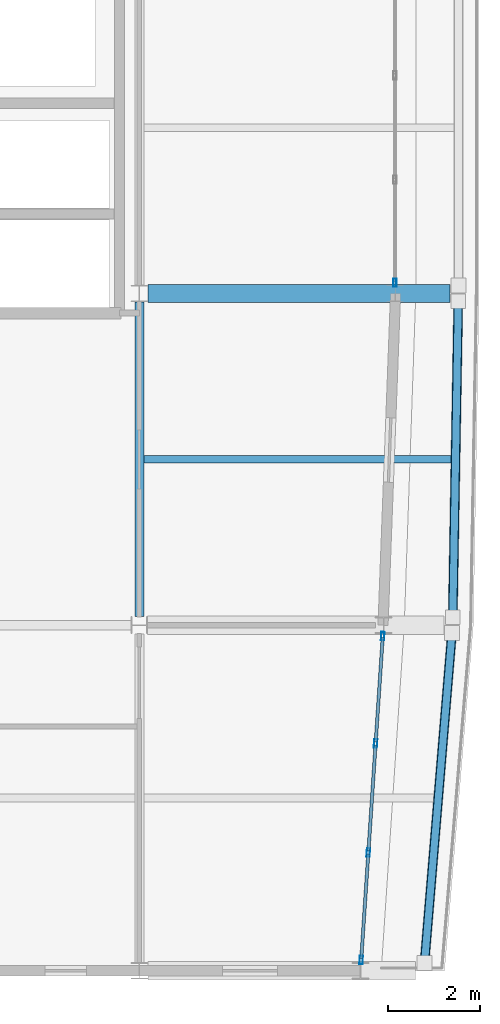
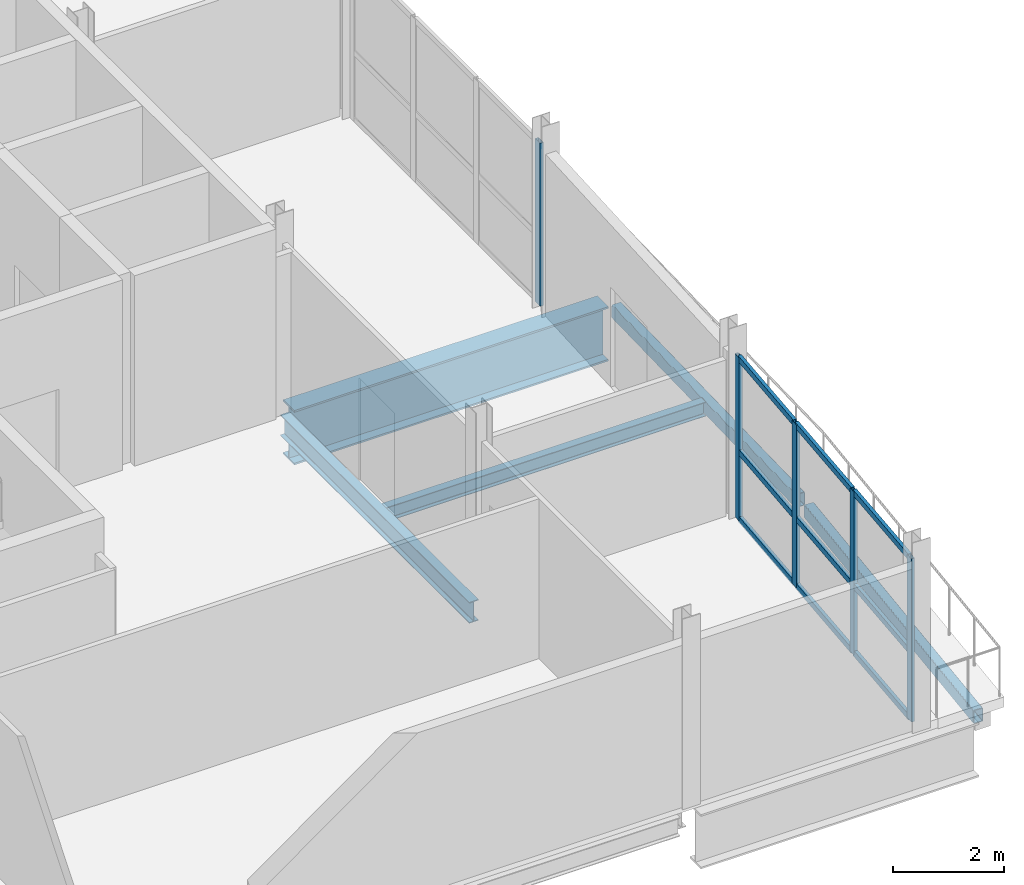
# One storey, part 2 of 17: 14 members, 5 beams, 2 elements without a shape of their own.
"""IFC4 building model written with IfcOpenShell, lengths in metres."""

from ifc_helpers import new_model, si_unit, direction, frame, origin, origin_2d, place, context, subcontext, project, spatial, hollow_rectangle, i_section, extrude, material, layer, layer_set, material_profile, profile_set, type_object, element, aggregate, save


model = new_model("IFC4")

# Units and contexts
model_context = context("Model", 3, precision=1e-05, world=origin(), true_north=direction((0.0, 1.0)))
body_context = subcontext(model_context, "Body", "Model", "MODEL_VIEW")
ifc_project = project(units=[si_unit("LENGTHUNIT", "METRE"), si_unit("AREAUNIT", "SQUARE_METRE"), si_unit("VOLUMEUNIT", "CUBIC_METRE"), si_unit("PLANEANGLEUNIT", "RADIAN"), si_unit("MASSUNIT", "GRAM", prefix="KILO")], contexts=[model_context])

# Site, building, storey
site_placement = place(None, origin())
site = spatial("IfcSite", under=ifc_project, at=site_placement, CompositionType="ELEMENT")
building_placement = place(site_placement, origin())
building = spatial("IfcBuilding", under=site, at=building_placement, Name="Quillay Park Conservatory", CompositionType="ELEMENT")
storey_placement = place(building_placement, frame((0.0, 0.0, 47.699951171875)))
storey = spatial("IfcBuildingStorey", under=building, at=storey_placement, Name="L11", CompositionType="ELEMENT", Elevation=47.699951171875)

# Beam
ifc_material_1 = material(Name="Steel ASTM A992 Grade 50", Category="steel")
ifc_material_profile_1 = material_profile(ifc_material_1, i_section(OverallWidth=0.166015625, OverallDepth=0.31298828125, WebThickness=0.006591796875, FlangeThickness=0.01123046875, FilletRadius=0.010009765625, at=origin_2d()), Name="W310x45")
ifc_profile_set_1 = profile_set([ifc_material_profile_1], Name="Steel ASTM A992 Grade 50")
beam_type_1 = type_object("IfcBeamType", Name="COMPOSITE FLOOR JOIST W310 X45", PredefinedType="JOIST", material=ifc_profile_set_1)
beam_1_placement = place(storey_placement, frame((19.845947265625, 81.60009765625, -0.38134765625), z_axis=(1.0, 0.0, 0.0), x_axis=(0.0, 1.0, 0.0)))
element("IfcBeam", 1, at=beam_1_placement, inside=storey, type_object=beam_type_1, Name="L11 beam BM-J-0799", PredefinedType="JOIST", context=body_context, shape_type="SweptSolid", body=[
    extrude(i_section(OverallWidth=0.166015625, OverallDepth=0.31298828125, WebThickness=0.006591796875, FlangeThickness=0.01123046875, FilletRadius=0.010009765625, at=origin_2d()), origin(), (0.0, 0.0, 1.0), 6.66650390625),
])

# Curtain wall, members
ifc_material_2 = material(Name="Thermally Broken Anodised Aluminium 6063-T6", Category="aluminium")
ifc_layer = layer(ifc_material_2, 0.179931640625)
ifc_layer_set = layer_set([ifc_layer], Name="UNITISED CURTAIN WALL TOWER (Thermally Broken Anodised Aluminium 6063-T6)")
curtain_wall_type = type_object("IfcCurtainWallType", Name="UNITISED CURTAIN WALL TOWER", PredefinedType="USERDEFINED", material=ifc_layer_set)
curtain_wall_1_placement = place(storey_placement, origin())
curtain_wall_1 = element("IfcCurtainWall", 2, at=curtain_wall_1_placement, inside=storey, type_object=curtain_wall_type, Name="L11 Unitised Curtain Wall 105", ObjectType="UNITISED CURTAIN WALL", PredefinedType="USERDEFINED")
ifc_material_3 = material(Name="Thermally Broken Anodised Aluminium 6063-T6", Category="aluminium")
ifc_material_profile_2 = material_profile(ifc_material_3, hollow_rectangle(XDim=0.070068359375, YDim=0.179931640625, WallThickness=0.00390625, at=origin_2d()), Name="AL70x180x4")
ifc_profile_set_2 = profile_set([ifc_material_profile_2], Name="Thermally Broken Anodised Aluminium 6063-T6")
member_type_1 = type_object("IfcMemberType", Name="CURTAIN WALL MULLION 70 X180", PredefinedType="MULLION", material=ifc_profile_set_2)
member_1_placement = place(storey_placement, frame((25.034423828125, 77.765380859375, 0.0), z_axis=(0.0, 0.0, 1.0), x_axis=(0.997785033503, -0.0665208758, 0.0)))
member_1 = element("IfcMember", 3, at=member_1_placement, type_object=member_type_1, Name="CW-T1 mullion 1", PredefinedType="MULLION", context=body_context, shape_type="SweptSolid", body=[
    extrude(hollow_rectangle(XDim=0.070068359375, YDim=0.179931640625, WallThickness=0.00390625, at=origin_2d()), origin(), (0.0, 0.0, 1.0), 3.59912109375),
])
member_2_placement = place(storey_placement, frame((24.87890625, 75.433349609375, 0.0), z_axis=(0.0, 0.0, 1.0), x_axis=(0.997785033503, -0.0665208758, 0.0)))
member_2 = element("IfcMember", 4, at=member_2_placement, type_object=member_type_1, Name="CW-T1 mullion 2", PredefinedType="MULLION", context=body_context, shape_type="SweptSolid", body=[
    extrude(hollow_rectangle(XDim=0.070068359375, YDim=0.179931640625, WallThickness=0.00390625, at=origin_2d()), origin(), (0.0, 0.0, 1.0), 3.59912109375),
])
member_3_placement = place(storey_placement, frame((24.72119140625, 73.066650390625, 0.0), z_axis=(0.0, 0.0, 1.0), x_axis=(0.997785033503, -0.0665208758, 0.0)))
member_3 = element("IfcMember", 5, at=member_3_placement, type_object=member_type_1, Name="CW-T1 mullion 3", PredefinedType="MULLION", context=body_context, shape_type="SweptSolid", body=[
    extrude(hollow_rectangle(XDim=0.070068359375, YDim=0.179931640625, WallThickness=0.00390625, at=origin_2d()), origin(), (0.0, 0.0, 1.0), 3.59912109375),
])
member_4_placement = place(storey_placement, frame((24.565673828125, 70.734619140625, 0.0), z_axis=(0.0, 0.0, 1.0), x_axis=(0.997785033503, -0.0665208758, 0.0)))
member_4 = element("IfcMember", 6, at=member_4_placement, type_object=member_type_1, Name="CW-T1 mullion 4", PredefinedType="MULLION", context=body_context, shape_type="SweptSolid", body=[
    extrude(hollow_rectangle(XDim=0.070068359375, YDim=0.179931640625, WallThickness=0.00390625, at=origin_2d()), origin(), (0.0, 0.0, 1.0), 3.59912109375),
])

# Curtain wall, member
curtain_wall_2_placement = place(storey_placement, origin())
curtain_wall_2 = element("IfcCurtainWall", 7, at=curtain_wall_2_placement, inside=storey, type_object=curtain_wall_type, Name="L11 Unitised Curtain Wall 106", ObjectType="UNITISED CURTAIN WALL", PredefinedType="USERDEFINED")
member_5_placement = place(storey_placement, frame((25.300048828125, 85.43505859375, 0.0), z_axis=(0.0, 0.0, 1.0), x_axis=(1.0, 0.0, 0.0)))
member_5 = element("IfcMember", 8, at=member_5_placement, type_object=member_type_1, Name="CW-T1 mullion 4", PredefinedType="MULLION", context=body_context, shape_type="SweptSolid", body=[
    extrude(hollow_rectangle(XDim=0.070068359375, YDim=0.179931640625, WallThickness=0.00390625, at=origin_2d()), origin(), (0.0, 0.0, 1.0), 3.59912109375),
])
aggregate(curtain_wall_2, [member_5])

# Member
ifc_material_4 = material(Name="Thermally Broken Anodised Aluminium 6063-T6", Category="aluminium")
ifc_material_profile_3 = material_profile(ifc_material_4, hollow_rectangle(XDim=0.070068359375, YDim=0.1298828125, WallThickness=0.003173828125, at=origin_2d()), Name="AL70x130x3.2")
ifc_profile_set_3 = profile_set([ifc_material_profile_3], Name="Thermally Broken Anodised Aluminium 6063-T6")
member_type_2 = type_object("IfcMemberType", Name="CURTAIN WALL TRANSOM 70 X130", PredefinedType="USERDEFINED", material=ifc_profile_set_3)
member_6_placement = place(storey_placement, frame((25.031982421875, 77.73046875, 0.03515625), z_axis=(-0.066447531676, -0.997789920542, 0.0), x_axis=(0.997789920542, -0.066447531676, 0.0)))
member_6 = element("IfcMember", 9, at=member_6_placement, type_object=member_type_2, Name="CW-T1 transom 1.1", ObjectType="TRANSOM", PredefinedType="USERDEFINED", context=body_context, shape_type="SweptSolid", body=[
    extrude(hollow_rectangle(XDim=0.070068359375, YDim=0.1298828125, WallThickness=0.003173828125, at=origin_2d()), origin(), (0.0, 0.0, 1.0), 2.26708984375),
])

member_7_placement = place(storey_placement, frame((25.031982421875, 77.73046875, 1.51171875), z_axis=(-0.066447531676, -0.997789920542, 0.0), x_axis=(0.997789920542, -0.066447531676, 0.0)))
member_7 = element("IfcMember", 10, at=member_7_placement, type_object=member_type_2, Name="CW-T1 transom 1.2", ObjectType="TRANSOM", PredefinedType="USERDEFINED", context=body_context, shape_type="SweptSolid", body=[
    extrude(hollow_rectangle(XDim=0.070068359375, YDim=0.1298828125, WallThickness=0.003173828125, at=origin_2d()), origin(), (0.0, 0.0, 1.0), 2.26708984375),
])

member_8_placement = place(storey_placement, frame((25.031982421875, 77.73046875, 3.56396484375), z_axis=(-0.066447531676, -0.997789920542, 0.0), x_axis=(0.997789920542, -0.066447531676, 0.0)))
member_8 = element("IfcMember", 11, at=member_8_placement, type_object=member_type_2, Name="CW-T1 transom 1.3", ObjectType="TRANSOM", PredefinedType="USERDEFINED", context=body_context, shape_type="SweptSolid", body=[
    extrude(hollow_rectangle(XDim=0.070068359375, YDim=0.1298828125, WallThickness=0.003173828125, at=origin_2d()), origin(), (0.0, 0.0, 1.0), 2.26708984375),
])

member_9_placement = place(storey_placement, frame((24.87646484375, 75.3984375, 0.03515625), z_axis=(-0.066497892916, -0.997786565473, 0.0), x_axis=(0.997786565473, -0.066497892916, 0.0)))
member_9 = element("IfcMember", 12, at=member_9_placement, type_object=member_type_2, Name="CW-T1 transom 2.1", ObjectType="TRANSOM", PredefinedType="USERDEFINED", context=body_context, shape_type="SweptSolid", body=[
    extrude(hollow_rectangle(XDim=0.070068359375, YDim=0.1298828125, WallThickness=0.003173828125, at=origin_2d()), origin(), (0.0, 0.0, 1.0), 2.302001953125),
])

member_10_placement = place(storey_placement, frame((24.87646484375, 75.3984375, 1.51171875), z_axis=(-0.066497892916, -0.997786565473, 0.0), x_axis=(0.997786565473, -0.066497892916, 0.0)))
member_10 = element("IfcMember", 13, at=member_10_placement, type_object=member_type_2, Name="CW-T1 transom 2.2", ObjectType="TRANSOM", PredefinedType="USERDEFINED", context=body_context, shape_type="SweptSolid", body=[
    extrude(hollow_rectangle(XDim=0.070068359375, YDim=0.1298828125, WallThickness=0.003173828125, at=origin_2d()), origin(), (0.0, 0.0, 1.0), 2.302001953125),
])

member_11_placement = place(storey_placement, frame((24.87646484375, 75.3984375, 3.56396484375), z_axis=(-0.066497892916, -0.997786565473, 0.0), x_axis=(0.997786565473, -0.066497892916, 0.0)))
member_11 = element("IfcMember", 14, at=member_11_placement, type_object=member_type_2, Name="CW-T1 transom 2.3", ObjectType="TRANSOM", PredefinedType="USERDEFINED", context=body_context, shape_type="SweptSolid", body=[
    extrude(hollow_rectangle(XDim=0.070068359375, YDim=0.1298828125, WallThickness=0.003173828125, at=origin_2d()), origin(), (0.0, 0.0, 1.0), 2.302001953125),
])

member_12_placement = place(storey_placement, frame((24.71875, 73.031494140625, 0.03515625), z_axis=(-0.066554749564, -0.997782774611, 0.0), x_axis=(0.997782774611, -0.066554749564, 0.0)))
member_12 = element("IfcMember", 15, at=member_12_placement, type_object=member_type_2, Name="CW-T1 transom 3.1", ObjectType="TRANSOM", PredefinedType="USERDEFINED", context=body_context, shape_type="SweptSolid", body=[
    extrude(hollow_rectangle(XDim=0.070068359375, YDim=0.1298828125, WallThickness=0.003173828125, at=origin_2d()), origin(), (0.0, 0.0, 1.0), 2.26708984375),
])

member_13_placement = place(storey_placement, frame((24.71875, 73.031494140625, 1.51171875), z_axis=(-0.066554749564, -0.997782774611, 0.0), x_axis=(0.997782774611, -0.066554749564, 0.0)))
member_13 = element("IfcMember", 16, at=member_13_placement, type_object=member_type_2, Name="CW-T1 transom 3.2", ObjectType="TRANSOM", PredefinedType="USERDEFINED", context=body_context, shape_type="SweptSolid", body=[
    extrude(hollow_rectangle(XDim=0.070068359375, YDim=0.1298828125, WallThickness=0.003173828125, at=origin_2d()), origin(), (0.0, 0.0, 1.0), 2.26708984375),
])

member_14_placement = place(storey_placement, frame((24.71875, 73.031494140625, 3.56396484375), z_axis=(-0.066554749564, -0.997782774611, 0.0), x_axis=(0.997782774611, -0.066554749564, 0.0)))
member_14 = element("IfcMember", 17, at=member_14_placement, type_object=member_type_2, Name="CW-T1 transom 3.3", ObjectType="TRANSOM", PredefinedType="USERDEFINED", context=body_context, shape_type="SweptSolid", body=[
    extrude(hollow_rectangle(XDim=0.070068359375, YDim=0.1298828125, WallThickness=0.003173828125, at=origin_2d()), origin(), (0.0, 0.0, 1.0), 2.26708984375),
])

aggregate(curtain_wall_1, [member_1, member_2, member_3, member_4, member_6, member_7, member_8, member_9, member_10, member_11, member_12, member_13, member_14])

# Beams
ifc_material_5 = material(Name="Steel S355J2H", Category="steel")
ifc_material_profile_4 = material_profile(ifc_material_5, hollow_rectangle(XDim=0.199951171875, YDim=0.300048828125, WallThickness=0.012451171875, InnerFilletRadius=0.012451171875, OuterFilletRadius=0.02490234375, at=origin_2d()), Name="RHS300x200x12.5")
ifc_profile_set_4 = profile_set([ifc_material_profile_4], Name="Steel S355J2H")
beam_type_2 = type_object("IfcBeamType", Name="PERIMETER SPANDREL BEAM RHS300", PredefinedType="SPANDREL", material=ifc_profile_set_4)
beam_2_placement = place(storey_placement, frame((25.940185546875, 70.681396484375, -0.375), z_axis=(0.083039837601, 0.996546228417, 0.0), x_axis=(-0.996546228417, 0.083039837601, 0.0)))
element("IfcBeam", 18, at=beam_2_placement, inside=storey, type_object=beam_type_2, Name="L11 beam BM-SPE-0788", PredefinedType="SPANDREL", context=body_context, shape_type="SweptSolid", body=[
    extrude(hollow_rectangle(XDim=0.199951171875, YDim=0.300048828125, WallThickness=0.012451171875, InnerFilletRadius=0.012451171875, OuterFilletRadius=0.02490234375, at=origin_2d()), origin(), (0.0, 0.0, 1.0), 7.161865234375),
])
beam_3_placement = place(storey_placement, frame((26.55322265625, 78.181884765625, -0.375), z_axis=(0.017353909255, 0.999849409578, 0.0), x_axis=(-0.999849409578, 0.017353909255, 0.0)))
element("IfcBeam", 19, at=beam_3_placement, inside=storey, type_object=beam_type_2, Name="L11 beam BM-SPE-0795", PredefinedType="SPANDREL", context=body_context, shape_type="SweptSolid", body=[
    extrude(hollow_rectangle(XDim=0.199951171875, YDim=0.300048828125, WallThickness=0.012451171875, InnerFilletRadius=0.012451171875, OuterFilletRadius=0.02490234375, at=origin_2d()), origin(), (0.0, 0.0, 1.0), 6.837158203125),
])
ifc_material_6 = material(Name="Steel ASTM A992 Grade 50", Category="steel")
ifc_material_profile_5 = material_profile(ifc_material_6, i_section(OverallWidth=0.19189453125, OverallDepth=0.462890625, WebThickness=0.010498046875, FlangeThickness=0.017578125, FilletRadius=0.012939453125, at=origin_2d()), Name="W460x89")
ifc_profile_set_5 = profile_set([ifc_material_profile_5], Name="Steel ASTM A992 Grade 50")
beam_type_3 = type_object("IfcBeamType", Name="PRIMARY FLOOR GIRDER W460 X89", PredefinedType="BEAM", material=ifc_profile_set_5)
beam_4_placement = place(storey_placement, frame((19.75, 78.185546875, -0.45654296875), z_axis=(0.0, 1.0, 0.0), x_axis=(-1.0, 0.0, 0.0)))
element("IfcBeam", 20, at=beam_4_placement, inside=storey, type_object=beam_type_3, Name="L11 beam BM-GNS-0797", PredefinedType="BEAM", context=body_context, shape_type="SweptSolid", body=[
    extrude(i_section(OverallWidth=0.19189453125, OverallDepth=0.462890625, WebThickness=0.010498046875, FlangeThickness=0.017578125, FilletRadius=0.012939453125, at=origin_2d()), origin(), (0.0, 0.0, 1.0), 6.83251953125),
])
ifc_material_7 = material(Name="Steel ASTM A572 Grade 50", Category="steel")
ifc_material_profile_6 = material_profile(ifc_material_7, i_section(OverallWidth=0.39990234375, OverallDepth=1.199951171875, WebThickness=0.02001953125, FlangeThickness=0.0380859375, at=origin_2d()), Name="IG1200x400")
ifc_profile_set_6 = profile_set([ifc_material_profile_6], Name="Steel ASTM A572 Grade 50")
beam_type_4 = type_object("IfcBeamType", Name="TRANSFER PLATE GIRDER IG1200", PredefinedType="USERDEFINED", material=ifc_profile_set_6)
beam_5_placement = place(storey_placement, frame((19.935546875, 85.199951171875, -0.824951171875), z_axis=(1.0, 0.0, 0.0), x_axis=(0.0, 1.0, 0.0)))
element("IfcBeam", 21, at=beam_5_placement, inside=storey, type_object=beam_type_4, Name="L11 beam BM-TG2-0775", ObjectType="TRANSFER PLATE GIRDER", PredefinedType="USERDEFINED", context=body_context, shape_type="SweptSolid", body=[
    extrude(i_section(OverallWidth=0.39990234375, OverallDepth=1.199951171875, WebThickness=0.02001953125, FlangeThickness=0.0380859375, at=origin_2d()), origin(), (0.0, 0.0, 1.0), 6.553955078125),
])

save(model, "model.ifc")
